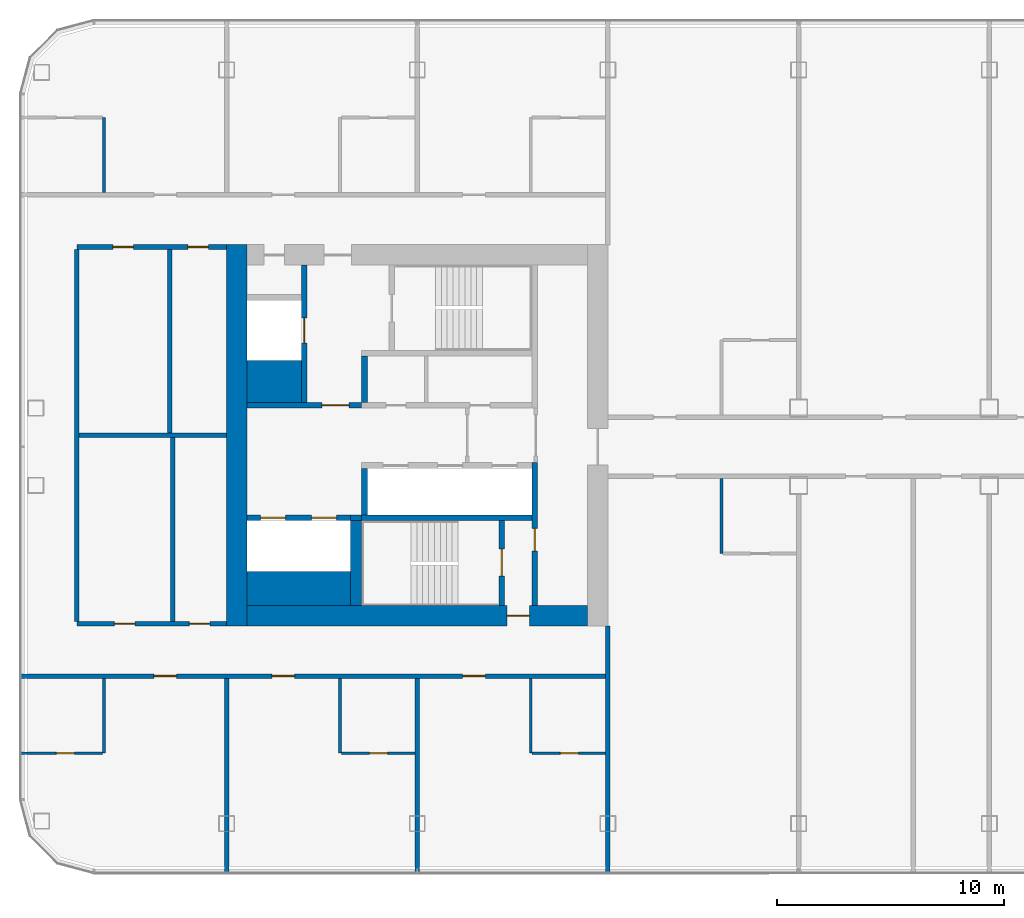
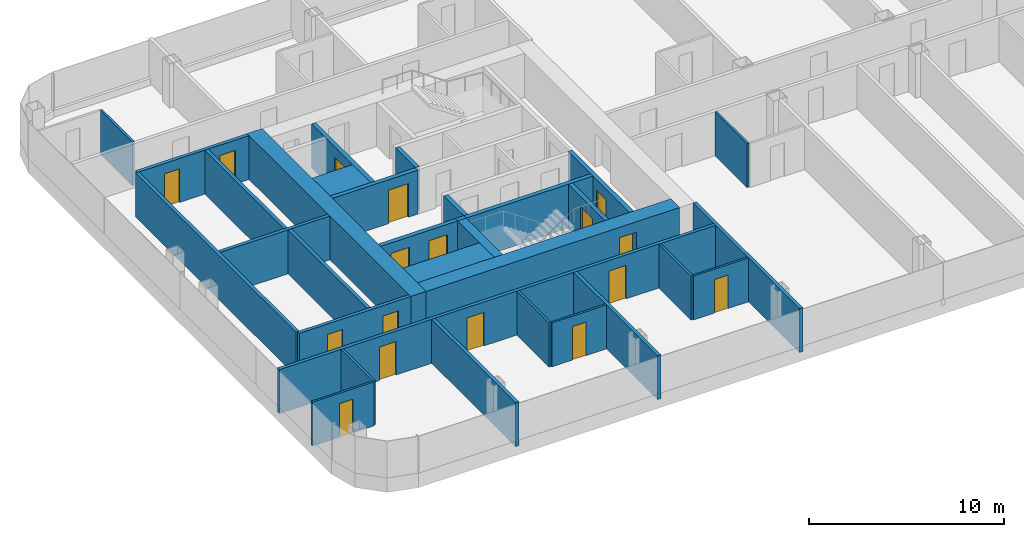
# One storey, part 12 of 26: 32 walls, 17 doors, 17 openings.
"""IFC4 building model written with IfcOpenShell, lengths in metres."""

from ifc_helpers import new_model, si_unit, direction, frame, frame_2d, origin, place, context, subcontext, project, spatial, rectangle, extrude, material, layer, layer_set, type_object, element, fill, save


model = new_model("IFC4")

# Units and contexts
model_context = context("Model", 3, precision=1e-05, world=origin(), true_north=direction((0.0, 1.0)))
body_context = subcontext(model_context, "Body", "Model", "MODEL_VIEW")
ifc_project = project(units=[si_unit("LENGTHUNIT", "METRE"), si_unit("AREAUNIT", "SQUARE_METRE"), si_unit("VOLUMEUNIT", "CUBIC_METRE"), si_unit("PLANEANGLEUNIT", "RADIAN"), si_unit("MASSUNIT", "GRAM", prefix="KILO")], contexts=[model_context])

# Site, building, storey
site_placement = place(None, origin())
site = spatial("IfcSite", under=ifc_project, at=site_placement, CompositionType="ELEMENT")
building_placement = place(site_placement, origin())
building = spatial("IfcBuilding", under=site, at=building_placement, Name="Hakoniwa Tower and Hamabe Station Hall", CompositionType="ELEMENT")
storey_placement = place(building_placement, frame((0.0, 0.0, 131.0)))
storey = spatial("IfcBuildingStorey", under=building, at=storey_placement, Name="L36", CompositionType="ELEMENT", Elevation=131.0)

# Wall, opening, door
ifc_material_1 = material(Name="Gypsum board partition", Category="gypsum")
ifc_layer_1 = layer(ifc_material_1, 0.125)
ifc_layer_set_1 = layer_set([ifc_layer_1], Name="Bathroom Partition 125")
wall_type_1 = type_object("IfcWallType", Name="Bathroom Partition 125", PredefinedType="PARTITIONING", material=ifc_layer_set_1)
wall_1_placement = place(storey_placement, frame((-42.699951171875, -14.0, 0.0), z_axis=(0.0, 0.0, 1.0), x_axis=(1.0, 0.0, 0.0)))
wall_1 = element("IfcWall", 1, at=wall_1_placement, inside=storey, type_object=wall_type_1, Name="GW-L36-001", PredefinedType="PARTITIONING", context=body_context, shape_type="SweptSolid", body=[
    extrude(rectangle(XDim=3.637451171875, YDim=0.125, at=frame_2d((1.81884765625, 0.0))), origin(), (0.0, 0.0, 1.0), 2.75),
])
opening_1_placement = place(wall_1_placement, frame((1.60009765625, 0.0, 0.0)))
opening_1 = element("IfcOpeningElement", 2, at=opening_1_placement, cuts=wall_1, Name="Opening GD-G3A0-01", PredefinedType="OPENING", context=body_context, shape_type="SweptSolid", body=[
    extrude(rectangle(XDim=0.800048828125, YDim=2.10009765625, at=frame_2d((0.39990234375, 1.050048828125))), frame((0.0, 0.072509765625, 0.0), z_axis=(0.0, -1.0, 0.0), x_axis=(1.0, 0.0, 0.0)), (0.0, 0.0, 1.0), 0.14501953125),
])
ifc_material_2 = material(Name="Timber door leaf", Category="wood")
door_type_1 = type_object("IfcDoorType", Name="Bathroom Door 800", OperationType="SINGLE_SWING_LEFT", PredefinedType="DOOR", material=ifc_material_2)
door_1_placement = place(opening_1_placement, origin())
door_1 = element("IfcDoor", 3, at=door_1_placement, inside=storey, type_object=door_type_1, Name="Door GD-G3A0-01", OperationType="SINGLE_SWING_LEFT", OverallHeight=2.10009765625, OverallWidth=0.800048828125, PredefinedType="DOOR", context=body_context, shape_type="SweptSolid", body=[
    extrude(rectangle(XDim=0.800048828125, YDim=2.10009765625, at=frame_2d((0.39990234375, 1.050048828125))), frame((0.0, 0.02490234375, 0.0), z_axis=(0.0, -1.0, 0.0), x_axis=(1.0, 0.0, 0.0)), (0.0, 0.0, 1.0), 0.050048828125),
])
fill(opening_1, door_1)

wall_2_placement = place(storey_placement, frame((-28.53759765625, -14.0, 0.0), z_axis=(0.0, 0.0, 1.0), x_axis=(1.0, 0.0, 0.0)))
wall_2 = element("IfcWall", 4, at=wall_2_placement, inside=storey, type_object=wall_type_1, Name="GW-L36-002", PredefinedType="PARTITIONING", context=body_context, shape_type="SweptSolid", body=[
    extrude(rectangle(XDim=3.237548828125, YDim=0.125, at=frame_2d((1.61865234375, 0.0))), origin(), (0.0, 0.0, 1.0), 2.75),
])
opening_2_placement = place(wall_2_placement, frame((1.237548828125, 0.0, 0.0)))
opening_2 = element("IfcOpeningElement", 5, at=opening_2_placement, cuts=wall_2, Name="Opening GD-G3A0-02", PredefinedType="OPENING", context=body_context, shape_type="SweptSolid", body=[
    extrude(rectangle(XDim=0.800048828125, YDim=2.10009765625, at=frame_2d((0.39990234375, 1.050048828125))), frame((0.0, 0.072509765625, 0.0), z_axis=(0.0, -1.0, 0.0), x_axis=(1.0, 0.0, 0.0)), (0.0, 0.0, 1.0), 0.14501953125),
])
door_2_placement = place(opening_2_placement, origin())
door_2 = element("IfcDoor", 6, at=door_2_placement, inside=storey, type_object=door_type_1, Name="Door GD-G3A0-02", OperationType="SINGLE_SWING_RIGHT", OverallHeight=2.10009765625, OverallWidth=0.800048828125, PredefinedType="DOOR", context=body_context, shape_type="SweptSolid", body=[
    extrude(rectangle(XDim=0.800048828125, YDim=2.10009765625, at=frame_2d((0.39990234375, 1.050048828125))), frame((0.0, 0.02490234375, 0.0), z_axis=(0.0, -1.0, 0.0), x_axis=(1.0, 0.0, 0.0)), (0.0, 0.0, 1.0), 0.050048828125),
])
fill(opening_2, door_2)

wall_3_placement = place(storey_placement, frame((-20.137451171875, -14.0, 0.0), z_axis=(0.0, 0.0, 1.0), x_axis=(1.0, 0.0, 0.0)))
wall_3 = element("IfcWall", 7, at=wall_3_placement, inside=storey, type_object=wall_type_1, Name="GW-L36-003", PredefinedType="PARTITIONING", context=body_context, shape_type="SweptSolid", body=[
    extrude(rectangle(XDim=3.237548828125, YDim=0.125, at=frame_2d((1.61865234375, 0.0))), origin(), (0.0, 0.0, 1.0), 2.75),
])
opening_3_placement = place(wall_3_placement, frame((1.237548828125, 0.0, 0.0)))
opening_3 = element("IfcOpeningElement", 8, at=opening_3_placement, cuts=wall_3, Name="Opening GD-G3A0-03", PredefinedType="OPENING", context=body_context, shape_type="SweptSolid", body=[
    extrude(rectangle(XDim=0.800048828125, YDim=2.10009765625, at=frame_2d((0.39990234375, 1.050048828125))), frame((0.0, 0.072509765625, 0.0), z_axis=(0.0, -1.0, 0.0), x_axis=(1.0, 0.0, 0.0)), (0.0, 0.0, 1.0), 0.14501953125),
])
door_3_placement = place(opening_3_placement, origin())
door_3 = element("IfcDoor", 9, at=door_3_placement, inside=storey, type_object=door_type_1, Name="Door GD-G3A0-03", OperationType="SINGLE_SWING_LEFT", OverallHeight=2.10009765625, OverallWidth=0.800048828125, PredefinedType="DOOR", context=body_context, shape_type="SweptSolid", body=[
    extrude(rectangle(XDim=0.800048828125, YDim=2.10009765625, at=frame_2d((0.39990234375, 1.050048828125))), frame((0.0, 0.02490234375, 0.0), z_axis=(0.0, -1.0, 0.0), x_axis=(1.0, 0.0, 0.0)), (0.0, 0.0, 1.0), 0.050048828125),
])
fill(opening_3, door_3)

# Walls
for number, where, z_axis, x_axis, name in (
    (10, (-39.0, -14.0, 0.0), (0.0, 0.0, 1.0), (0.0, 1.0, 0.0), "GW-L36-031"),
    (11, (-39.0, 10.699951171875, 0.0), (0.0, 0.0, 1.0), (0.0, 1.0, 0.0), "GW-L36-032"),
    (12, (-28.60009765625, -14.0, 0.0), (0.0, 0.0, 1.0), (0.0, 1.0, 0.0), "GW-L36-037"),
    (13, (-20.199951171875, -14.0, 0.0), (0.0, 0.0, 1.0), (0.0, 1.0, 0.0), "GW-L36-041"),
    (14, (-11.800048828125, -5.199951171875, 0.0), (0.0, 0.0, 1.0), (0.0, 1.0, 0.0), "GW-L36-045"),
):
    element("IfcWall", number, at=place(storey_placement, frame(where, z_axis=z_axis, x_axis=x_axis)), inside=storey, type_object=wall_type_1, Name=name, PredefinedType="PARTITIONING", context=body_context, shape_type="SweptSolid", body=[
        extrude(rectangle(XDim=3.300048828125, YDim=0.125, at=frame_2d((1.64990234375, 0.0))), origin(), (0.0, 0.0, 1.0), 2.75),
    ])
ifc_material_3 = material(Name="Concrete C66", Category="concrete")
ifc_layer_2 = layer(ifc_material_3, 0.89990234375)
ifc_layer_set_2 = layer_set([ifc_layer_2], Name="CORE WALL 900 C66")
wall_type_2 = type_object("IfcWallType", Name="CORE WALL 900 C66", PredefinedType="SHEAR", material=ifc_layer_set_2)
wall_4_placement = place(storey_placement, frame((-33.14990234375, -8.39990234375, 0.0), z_axis=(0.0, 0.0, 1.0), x_axis=(0.0, 1.0, 0.0)))
element("IfcWall", 15, at=wall_4_placement, inside=storey, type_object=wall_type_2, Name="Core wall OUTER west", PredefinedType="SHEAR", context=body_context, shape_type="SweptSolid", body=[
    extrude(rectangle(XDim=16.7998046875, YDim=0.89990234375, at=frame_2d((8.39990234375, 0.0))), origin(), (0.0, 0.0, 1.0), 2.75),
])

# Wall, opening, door
wall_5_placement = place(storey_placement, frame((-32.699951171875, -7.949951171875, 0.0), z_axis=(0.0, 0.0, 1.0), x_axis=(1.0, 0.0, 0.0)))
wall_5 = element("IfcWall", 16, at=wall_5_placement, inside=storey, type_object=wall_type_2, Name="Core wall SOUTH west", PredefinedType="SHEAR", context=body_context, shape_type="SweptSolid", body=[
    extrude(rectangle(XDim=15.0, YDim=0.89990234375, at=frame_2d((7.5, 0.0))), origin(), (0.0, 0.0, 1.0), 2.75),
])
opening_4_placement = place(wall_5_placement, frame((11.449951171875, 0.0, 0.0)))
opening_4 = element("IfcOpeningElement", 17, at=opening_4_placement, cuts=wall_5, Name="Opening CD-W-FS3-10", PredefinedType="OPENING", context=body_context, shape_type="SweptSolid", body=[
    extrude(rectangle(XDim=1.0, YDim=2.10009765625, at=frame_2d((0.5, 1.050048828125))), frame((0.0, 0.4599609375, 0.0), z_axis=(0.0, -1.0, 0.0), x_axis=(1.0, 0.0, 0.0)), (0.0, 0.0, 1.0), 0.919921875),
])
ifc_material_4 = material(Name="Steel fire door", Category="steel")
door_type_2 = type_object("IfcDoorType", Name="CORE DOOR 1000 FD60", OperationType="NOTDEFINED", PredefinedType="DOOR", material=ifc_material_4)
door_4_placement = place(opening_4_placement, origin())
door_4 = element("IfcDoor", 18, at=door_4_placement, inside=storey, type_object=door_type_2, Name="Stair vestibule door", OperationType="SINGLE_SWING_RIGHT", OverallHeight=2.10009765625, OverallWidth=1.0, PredefinedType="DOOR", context=body_context, shape_type="SweptSolid", body=[
    extrude(rectangle(XDim=1.0, YDim=2.10009765625, at=frame_2d((0.5, 1.050048828125))), frame((0.0, 0.02490234375, 0.0), z_axis=(0.0, -1.0, 0.0), x_axis=(1.0, 0.0, 0.0)), (0.0, 0.0, 1.0), 0.050048828125),
])
fill(opening_4, door_4)

# Walls
ifc_material_5 = material(Name="Concrete C66", Category="concrete")
ifc_layer_3 = layer(ifc_material_5, 1.5)
ifc_layer_set_3 = layer_set([ifc_layer_3], Name="CORE WEB WALL 1500 C66")
wall_type_3 = type_object("IfcWallType", Name="CORE WEB WALL 1500 C66", PredefinedType="SHEAR", material=ifc_layer_set_3)
wall_6_placement = place(storey_placement, frame((-32.699951171875, -6.75, 0.0), z_axis=(0.0, 0.0, 1.0), x_axis=(1.0, 0.0, 0.0)))
element("IfcWall", 19, at=wall_6_placement, inside=storey, type_object=wall_type_3, Name="Core wall SER west", PredefinedType="SHEAR", context=body_context, shape_type="SweptSolid", body=[
    extrude(rectangle(XDim=4.550048828125, YDim=1.5, at=frame_2d((2.27490234375, 0.0))), origin(), (0.0, 0.0, 1.0), 2.75),
])
ifc_material_6 = material(Name="Concrete C66", Category="concrete")
ifc_layer_4 = layer(ifc_material_6, 1.85009765625)
ifc_layer_set_4 = layer_set([ifc_layer_4], Name="CORE WEB WALL 1850 C66")
wall_type_4 = type_object("IfcWallType", Name="CORE WEB WALL 1850 C66", PredefinedType="SHEAR", material=ifc_layer_set_4)
wall_7_placement = place(storey_placement, frame((-32.699951171875, 2.375, 0.0), z_axis=(0.0, 0.0, 1.0), x_axis=(1.0, 0.0, 0.0)))
element("IfcWall", 20, at=wall_7_placement, inside=storey, type_object=wall_type_4, Name="Core wall CA west", PredefinedType="SHEAR", context=body_context, shape_type="SweptSolid", body=[
    extrude(rectangle(XDim=2.39990234375, YDim=1.85009765625, at=frame_2d((1.199951171875, 0.0))), origin(), (0.0, 0.0, 1.0), 2.75),
])

# Wall, opening, door
ifc_material_7 = material(Name="Concrete C66", Category="concrete")
ifc_layer_5 = layer(ifc_material_7, 0.25)
ifc_layer_set_5 = layer_set([ifc_layer_5], Name="CORE WEB WALL 250 C66")
wall_type_5 = type_object("IfcWallType", Name="CORE WEB WALL 250 C66", PredefinedType="SHEAR", material=ifc_layer_set_5)
wall_8_placement = place(storey_placement, frame((-20.02490234375, -7.5, 0.0), z_axis=(0.0, 0.0, 1.0), x_axis=(0.0, 1.0, 0.0)))
wall_8 = element("IfcWall", 21, at=wall_8_placement, inside=storey, type_object=wall_type_5, Name="Core wall W1S west", PredefinedType="SHEAR", context=body_context, shape_type="SweptSolid", body=[
    extrude(rectangle(XDim=6.300048828125, YDim=0.25, at=frame_2d((3.14990234375, 0.0))), origin(), (0.0, 0.0, 1.0), 2.75),
])
opening_5_placement = place(wall_8_placement, frame((2.39990234375, 0.0, 0.0)))
opening_5 = element("IfcOpeningElement", 22, at=opening_5_placement, cuts=wall_8, Name="Opening CD-W-VS-10", PredefinedType="OPENING", context=body_context, shape_type="SweptSolid", body=[
    extrude(rectangle(XDim=1.0, YDim=2.10009765625, at=frame_2d((0.5, 1.050048828125))), frame((0.0, 0.135009765625, 0.0), z_axis=(0.0, -1.0, 0.0), x_axis=(1.0, 0.0, 0.0)), (0.0, 0.0, 1.0), 0.27001953125),
])
door_5_placement = place(opening_5_placement, origin())
door_5 = element("IfcDoor", 23, at=door_5_placement, inside=storey, type_object=door_type_2, Name="Stair vestibule door", OperationType="SINGLE_SWING_LEFT", OverallHeight=2.10009765625, OverallWidth=1.0, PredefinedType="DOOR", context=body_context, shape_type="SweptSolid", body=[
    extrude(rectangle(XDim=1.0, YDim=2.10009765625, at=frame_2d((0.5, 1.050048828125))), frame((0.0, 0.02490234375, 0.0), z_axis=(0.0, -1.0, 0.0), x_axis=(1.0, 0.0, 0.0)), (0.0, 0.0, 1.0), 0.050048828125),
])
fill(opening_5, door_5)

# Wall
wall_9_placement = place(storey_placement, frame((-27.52490234375, 1.449951171875, 0.0), z_axis=(0.0, 0.0, 1.0), x_axis=(0.0, 1.0, 0.0)))
element("IfcWall", 24, at=wall_9_placement, inside=storey, type_object=wall_type_5, Name="Core wall NE west", PredefinedType="SHEAR", context=body_context, shape_type="SweptSolid", body=[
    extrude(rectangle(XDim=2.050048828125, YDim=0.25, at=frame_2d((1.02490234375, 0.0))), origin(), (0.0, 0.0, 1.0), 2.75),
])

# Wall, opening, door
wall_10_placement = place(storey_placement, frame((-32.699951171875, 1.324951171875, 0.0), z_axis=(0.0, 0.0, 1.0), x_axis=(1.0, 0.0, 0.0)))
wall_10 = element("IfcWall", 25, at=wall_10_placement, inside=storey, type_object=wall_type_5, Name="Core wall ELN west", PredefinedType="SHEAR", context=body_context, shape_type="SweptSolid", body=[
    extrude(rectangle(XDim=5.050048828125, YDim=0.25, at=frame_2d((2.52490234375, 0.0))), origin(), (0.0, 0.0, 1.0), 2.75),
])
opening_6_placement = place(wall_10_placement, frame((3.300048828125, 0.0, 0.0)))
opening_6 = element("IfcOpeningElement", 26, at=opening_6_placement, cuts=wall_10, Name="Opening CD-W-FL-12", PredefinedType="OPENING", context=body_context, shape_type="SweptSolid", body=[
    extrude(rectangle(XDim=1.199951171875, YDim=2.10009765625, at=frame_2d((0.60009765625, 1.050048828125))), frame((0.0, 0.135009765625, 0.0), z_axis=(0.0, -1.0, 0.0), x_axis=(1.0, 0.0, 0.0)), (0.0, 0.0, 1.0), 0.27001953125),
])
ifc_material_8 = material(Name="Steel fire door", Category="steel")
door_type_3 = type_object("IfcDoorType", Name="CORE DOOR 1200 FD60", OperationType="DOUBLE_DOOR_SINGLE_SWING", PredefinedType="DOOR", material=ifc_material_8)
door_6_placement = place(opening_6_placement, origin())
door_6 = element("IfcDoor", 27, at=door_6_placement, inside=storey, type_object=door_type_3, Name="Stair vestibule door to the fire-fighting lobby", OperationType="DOUBLE_DOOR_SINGLE_SWING", OverallHeight=2.10009765625, OverallWidth=1.199951171875, PredefinedType="DOOR", context=body_context, shape_type="SweptSolid", body=[
    extrude(rectangle(XDim=1.199951171875, YDim=2.10009765625, at=frame_2d((0.60009765625, 1.050048828125))), frame((0.0, 0.02490234375, 0.0), z_axis=(0.0, -1.0, 0.0), x_axis=(1.0, 0.0, 0.0)), (0.0, 0.0, 1.0), 0.050048828125),
])
fill(opening_6, door_6)

wall_11_placement = place(storey_placement, frame((-30.175048828125, 1.449951171875, 0.0), z_axis=(0.0, 0.0, 1.0), x_axis=(0.0, 1.0, 0.0)))
wall_11 = element("IfcWall", 28, at=wall_11_placement, inside=storey, type_object=wall_type_5, Name="Core wall FFF west", PredefinedType="SHEAR", context=body_context, shape_type="SweptSolid", body=[
    extrude(rectangle(XDim=6.050048828125, YDim=0.25, at=frame_2d((3.02490234375, 0.0))), origin(), (0.0, 0.0, 1.0), 2.75),
])
opening_7_placement = place(wall_11_placement, frame((2.625, 0.0, 0.0)))
opening_7 = element("IfcOpeningElement", 29, at=opening_7_placement, cuts=wall_11, Name="Opening LD-FF1", PredefinedType="OPENING", context=body_context, shape_type="SweptSolid", body=[
    extrude(rectangle(XDim=1.10009765625, YDim=2.10009765625, at=frame_2d((0.550048828125, 1.050048828125))), frame((0.0, 0.135009765625, 0.0), z_axis=(0.0, -1.0, 0.0), x_axis=(1.0, 0.0, 0.0)), (0.0, 0.0, 1.0), 0.27001953125),
])
ifc_material_9 = material(Name="Stainless steel SUS304", Category="steel")
door_type_4 = type_object("IfcDoorType", Name="LIFT LANDING DOOR 1100 FD60", OperationType="DOUBLE_DOOR_SLIDING", PredefinedType="DOOR", material=ifc_material_9)
door_7_placement = place(opening_7_placement, origin())
door_7 = element("IfcDoor", 30, at=door_7_placement, inside=storey, type_object=door_type_4, Name="Lift landing door FF1 L36", OperationType="DOUBLE_DOOR_SLIDING", OverallHeight=2.10009765625, OverallWidth=1.10009765625, PredefinedType="DOOR", context=body_context, shape_type="SweptSolid", body=[
    extrude(rectangle(XDim=1.10009765625, YDim=2.10009765625, at=frame_2d((0.550048828125, 1.050048828125))), frame((0.0, 0.02490234375, 0.0), z_axis=(0.0, -1.0, 0.0), x_axis=(1.0, 0.0, 0.0)), (0.0, 0.0, 1.0), 0.050048828125),
])
fill(opening_7, door_7)

# Walls
wall_12_placement = place(storey_placement, frame((-27.52490234375, -3.5, 0.0), z_axis=(0.0, 0.0, 1.0), x_axis=(0.0, 1.0, 0.0)))
element("IfcWall", 31, at=wall_12_placement, inside=storey, type_object=wall_type_5, Name="Core wall SE west", PredefinedType="SHEAR", context=body_context, shape_type="SweptSolid", body=[
    extrude(rectangle(XDim=2.050048828125, YDim=0.25, at=frame_2d((1.02490234375, 0.0))), origin(), (0.0, 0.0, 1.0), 2.75),
])
wall_13_placement = place(storey_placement, frame((-27.64990234375, -3.625, 0.0), z_axis=(0.0, 0.0, 1.0), x_axis=(1.0, 0.0, 0.0)))
element("IfcWall", 32, at=wall_13_placement, inside=storey, type_object=wall_type_5, Name="Core wall SR west", PredefinedType="SHEAR", context=body_context, shape_type="SweptSolid", body=[
    extrude(rectangle(XDim=7.5, YDim=0.25, at=frame_2d((3.75, 0.0))), origin(), (0.0, 0.0, 1.0), 2.75),
])

# Wall, opening, door
wall_14_placement = place(storey_placement, frame((-21.47509765625, -7.5, 0.0), z_axis=(0.0, 0.0, 1.0), x_axis=(0.0, 1.0, 0.0)))
wall_14 = element("IfcWall", 33, at=wall_14_placement, inside=storey, type_object=wall_type_5, Name="Core wall VE west", PredefinedType="SHEAR", context=body_context, shape_type="SweptSolid", body=[
    extrude(rectangle(XDim=3.75, YDim=0.25, at=frame_2d((1.875, 0.0))), origin(), (0.0, 0.0, 1.0), 2.75),
])
opening_8_placement = place(wall_14_placement, frame((1.300048828125, 0.0, 0.0)))
opening_8 = element("IfcOpeningElement", 34, at=opening_8_placement, cuts=wall_14, Name="Opening CD-W-SS-12", PredefinedType="OPENING", context=body_context, shape_type="SweptSolid", body=[
    extrude(rectangle(XDim=1.199951171875, YDim=2.10009765625, at=frame_2d((0.60009765625, 1.050048828125))), frame((0.0, 0.135009765625, 0.0), z_axis=(0.0, -1.0, 0.0), x_axis=(1.0, 0.0, 0.0)), (0.0, 0.0, 1.0), 0.27001953125),
])
door_8_placement = place(opening_8_placement, origin())
door_8 = element("IfcDoor", 35, at=door_8_placement, inside=storey, type_object=door_type_3, Name="Escape stair door", OperationType="DOUBLE_DOOR_SINGLE_SWING", OverallHeight=2.10009765625, OverallWidth=1.199951171875, PredefinedType="DOOR", context=body_context, shape_type="SweptSolid", body=[
    extrude(rectangle(XDim=1.199951171875, YDim=2.10009765625, at=frame_2d((0.60009765625, 1.050048828125))), frame((0.0, 0.02490234375, 0.0), z_axis=(0.0, -1.0, 0.0), x_axis=(1.0, 0.0, 0.0)), (0.0, 0.0, 1.0), 0.050048828125),
])
fill(opening_8, door_8)

# Wall, openings, doors
wall_15_placement = place(storey_placement, frame((-32.699951171875, -3.625, 0.0), z_axis=(0.0, 0.0, 1.0), x_axis=(1.0, 0.0, 0.0)))
wall_15 = element("IfcWall", 36, at=wall_15_placement, inside=storey, type_object=wall_type_5, Name="Core wall SEF west", PredefinedType="SHEAR", context=body_context, shape_type="SweptSolid", body=[
    extrude(rectangle(XDim=4.550048828125, YDim=0.25, at=frame_2d((2.27490234375, 0.0))), origin(), (0.0, 0.0, 1.0), 2.75),
])
opening_9_placement = place(wall_15_placement, frame((2.85009765625, 0.0, 0.0)))
opening_9 = element("IfcOpeningElement", 37, at=opening_9_placement, cuts=wall_15, Name="Opening LD-SV1", PredefinedType="OPENING", context=body_context, shape_type="SweptSolid", body=[
    extrude(rectangle(XDim=1.10009765625, YDim=2.10009765625, at=frame_2d((0.550048828125, 1.050048828125))), frame((0.0, 0.135009765625, 0.0), z_axis=(0.0, -1.0, 0.0), x_axis=(1.0, 0.0, 0.0)), (0.0, 0.0, 1.0), 0.27001953125),
])
opening_10_placement = place(wall_15_placement, frame((0.60009765625, 0.0, 0.0)))
opening_10 = element("IfcOpeningElement", 38, at=opening_10_placement, cuts=wall_15, Name="Opening LD-SV2", PredefinedType="OPENING", context=body_context, shape_type="SweptSolid", body=[
    extrude(rectangle(XDim=1.10009765625, YDim=2.10009765625, at=frame_2d((0.550048828125, 1.050048828125))), frame((0.0, 0.135009765625, 0.0), z_axis=(0.0, -1.0, 0.0), x_axis=(1.0, 0.0, 0.0)), (0.0, 0.0, 1.0), 0.27001953125),
])
door_9_placement = place(opening_9_placement, origin())
door_9 = element("IfcDoor", 39, at=door_9_placement, inside=storey, type_object=door_type_4, Name="Lift landing door SV1 L36", OperationType="DOUBLE_DOOR_SLIDING", OverallHeight=2.10009765625, OverallWidth=1.10009765625, PredefinedType="DOOR", context=body_context, shape_type="SweptSolid", body=[
    extrude(rectangle(XDim=1.10009765625, YDim=2.10009765625, at=frame_2d((0.550048828125, 1.050048828125))), frame((0.0, 0.02490234375, 0.0), z_axis=(0.0, -1.0, 0.0), x_axis=(1.0, 0.0, 0.0)), (0.0, 0.0, 1.0), 0.050048828125),
])
fill(opening_9, door_9)
door_10_placement = place(opening_10_placement, origin())
door_10 = element("IfcDoor", 40, at=door_10_placement, inside=storey, type_object=door_type_4, Name="Lift landing door SV2 L36", OperationType="DOUBLE_DOOR_SLIDING", OverallHeight=2.10009765625, OverallWidth=1.10009765625, PredefinedType="DOOR", context=body_context, shape_type="SweptSolid", body=[
    extrude(rectangle(XDim=1.10009765625, YDim=2.10009765625, at=frame_2d((0.550048828125, 1.050048828125))), frame((0.0, 0.02490234375, 0.0), z_axis=(0.0, -1.0, 0.0), x_axis=(1.0, 0.0, 0.0)), (0.0, 0.0, 1.0), 0.050048828125),
])
fill(opening_10, door_10)

# Walls
wall_16_placement = place(storey_placement, frame((-28.14990234375, -3.625, 0.0), z_axis=(0.0, 0.0, 1.0), x_axis=(1.0, 0.0, 0.0)))
element("IfcWall", 41, at=wall_16_placement, inside=storey, type_object=wall_type_5, Name="Core wall SRK west", PredefinedType="SHEAR", context=body_context, shape_type="SweptSolid", body=[
    extrude(rectangle(XDim=0.5, YDim=0.25, at=frame_2d((0.25, 0.0))), origin(), (0.0, 0.0, 1.0), 2.75),
])
ifc_material_10 = material(Name="Concrete C66", Category="concrete")
ifc_layer_6 = layer(ifc_material_10, 0.5)
ifc_layer_set_6 = layer_set([ifc_layer_6], Name="CORE WEB WALL 500 C66")
wall_type_6 = type_object("IfcWallType", Name="CORE WEB WALL 500 C66", PredefinedType="SHEAR", material=ifc_layer_set_6)
wall_17_placement = place(storey_placement, frame((-27.89990234375, -7.5, 0.0), z_axis=(0.0, 0.0, 1.0), x_axis=(0.0, 1.0, 0.0)))
element("IfcWall", 42, at=wall_17_placement, inside=storey, type_object=wall_type_6, Name="Core wall SSE west", PredefinedType="SHEAR", context=body_context, shape_type="SweptSolid", body=[
    extrude(rectangle(XDim=3.75, YDim=0.5, at=frame_2d((1.875, 0.0))), origin(), (0.0, 0.0, 1.0), 2.75),
])

# Wall, openings, doors
ifc_material_11 = material(Name="Fire-rated gypsum board partition", Category="gypsum")
ifc_layer_7 = layer(ifc_material_11, 0.199951171875)
ifc_layer_set_7 = layer_set([ifc_layer_7], Name="Corridor Wall 200")
wall_type_7 = type_object("IfcWallType", Name="Corridor Wall 200", PredefinedType="PARTITIONING", material=ifc_layer_set_7)
wall_18_placement = place(storey_placement, frame((-42.699951171875, -10.60009765625, 0.0), z_axis=(0.0, 0.0, 1.0), x_axis=(1.0, 0.0, 0.0)))
wall_18 = element("IfcWall", 43, at=wall_18_placement, inside=storey, type_object=wall_type_7, Name="GW-L36-007", PredefinedType="PARTITIONING", context=body_context, shape_type="SweptSolid", body=[
    extrude(rectangle(XDim=25.89990234375, YDim=0.199951171875, at=frame_2d((12.949951171875, 0.0))), origin(), (0.0, 0.0, 1.0), 2.75),
])
opening_11_placement = place(wall_18_placement, frame((5.89990234375, 0.0, 0.0)))
opening_11 = element("IfcOpeningElement", 44, at=opening_11_placement, cuts=wall_18, Name="Opening GD-G3A0-07", PredefinedType="OPENING", context=body_context, shape_type="SweptSolid", body=[
    extrude(rectangle(XDim=1.0, YDim=2.10009765625, at=frame_2d((0.5, 1.050048828125))), frame((0.0, 0.10986328125, 0.0), z_axis=(0.0, -1.0, 0.0), x_axis=(1.0, 0.0, 0.0)), (0.0, 0.0, 1.0), 0.219970703125),
])
opening_12_placement = place(wall_18_placement, frame((11.10009765625, 0.0, 0.0)))
opening_12 = element("IfcOpeningElement", 45, at=opening_12_placement, cuts=wall_18, Name="Opening GD-G3A0-08", PredefinedType="OPENING", context=body_context, shape_type="SweptSolid", body=[
    extrude(rectangle(XDim=1.0, YDim=2.10009765625, at=frame_2d((0.5, 1.050048828125))), frame((0.0, 0.10986328125, 0.0), z_axis=(0.0, -1.0, 0.0), x_axis=(1.0, 0.0, 0.0)), (0.0, 0.0, 1.0), 0.219970703125),
])
opening_13_placement = place(wall_18_placement, frame((19.5, 0.0, 0.0)))
opening_13 = element("IfcOpeningElement", 46, at=opening_13_placement, cuts=wall_18, Name="Opening GD-G3A0-09", PredefinedType="OPENING", context=body_context, shape_type="SweptSolid", body=[
    extrude(rectangle(XDim=1.0, YDim=2.10009765625, at=frame_2d((0.5, 1.050048828125))), frame((0.0, 0.10986328125, 0.0), z_axis=(0.0, -1.0, 0.0), x_axis=(1.0, 0.0, 0.0)), (0.0, 0.0, 1.0), 0.219970703125),
])
ifc_material_12 = material(Name="Timber door leaf", Category="wood")
door_type_5 = type_object("IfcDoorType", Name="Guest Entrance Door 1000", OperationType="SINGLE_SWING_LEFT", PredefinedType="DOOR", material=ifc_material_12)
door_11_placement = place(opening_11_placement, origin())
door_11 = element("IfcDoor", 47, at=door_11_placement, inside=storey, type_object=door_type_5, Name="Door GD-G3A0-07", OperationType="SINGLE_SWING_RIGHT", OverallHeight=2.10009765625, OverallWidth=1.0, PredefinedType="DOOR", context=body_context, shape_type="SweptSolid", body=[
    extrude(rectangle(XDim=1.0, YDim=2.10009765625, at=frame_2d((0.5, 1.050048828125))), frame((0.0, 0.02490234375, 0.0), z_axis=(0.0, -1.0, 0.0), x_axis=(1.0, 0.0, 0.0)), (0.0, 0.0, 1.0), 0.050048828125),
])
fill(opening_11, door_11)
door_12_placement = place(opening_12_placement, origin())
door_12 = element("IfcDoor", 48, at=door_12_placement, inside=storey, type_object=door_type_5, Name="Door GD-G3A0-08", OperationType="SINGLE_SWING_LEFT", OverallHeight=2.10009765625, OverallWidth=1.0, PredefinedType="DOOR", context=body_context, shape_type="SweptSolid", body=[
    extrude(rectangle(XDim=1.0, YDim=2.10009765625, at=frame_2d((0.5, 1.050048828125))), frame((0.0, 0.02490234375, 0.0), z_axis=(0.0, -1.0, 0.0), x_axis=(1.0, 0.0, 0.0)), (0.0, 0.0, 1.0), 0.050048828125),
])
fill(opening_12, door_12)
door_13_placement = place(opening_13_placement, origin())
door_13 = element("IfcDoor", 49, at=door_13_placement, inside=storey, type_object=door_type_5, Name="Door GD-G3A0-09", OperationType="SINGLE_SWING_RIGHT", OverallHeight=2.10009765625, OverallWidth=1.0, PredefinedType="DOOR", context=body_context, shape_type="SweptSolid", body=[
    extrude(rectangle(XDim=1.0, YDim=2.10009765625, at=frame_2d((0.5, 1.050048828125))), frame((0.0, 0.02490234375, 0.0), z_axis=(0.0, -1.0, 0.0), x_axis=(1.0, 0.0, 0.0)), (0.0, 0.0, 1.0), 0.050048828125),
])
fill(opening_13, door_13)

wall_19_placement = place(storey_placement, frame((-40.199951171875, -8.300048828125, 0.0), z_axis=(0.0, 0.0, 1.0), x_axis=(1.0, 0.0, 0.0)))
wall_19 = element("IfcWall", 50, at=wall_19_placement, inside=storey, type_object=wall_type_7, Name="GW-L36-009", PredefinedType="PARTITIONING", context=body_context, shape_type="SweptSolid", body=[
    extrude(rectangle(XDim=6.599853515625, YDim=0.199951171875, at=frame_2d((3.2998046875, 0.0))), origin(), (0.0, 0.0, 1.0), 2.75),
])
opening_14_placement = place(wall_19_placement, frame((1.659912109375, 0.0, 0.0)))
opening_14 = element("IfcOpeningElement", 51, at=opening_14_placement, cuts=wall_19, Name="Opening GD-G3A0-13", PredefinedType="OPENING", context=body_context, shape_type="SweptSolid", body=[
    extrude(rectangle(XDim=0.89990234375, YDim=2.10009765625, at=frame_2d((0.449951171875, 1.050048828125))), frame((0.0, 0.10986328125, 0.0), z_axis=(0.0, -1.0, 0.0), x_axis=(1.0, 0.0, 0.0)), (0.0, 0.0, 1.0), 0.219970703125),
])
opening_15_placement = place(wall_19_placement, frame((4.9599609375, 0.0, 0.0)))
opening_15 = element("IfcOpeningElement", 52, at=opening_15_placement, cuts=wall_19, Name="Opening GD-G3A0-14", PredefinedType="OPENING", context=body_context, shape_type="SweptSolid", body=[
    extrude(rectangle(XDim=0.89990234375, YDim=2.10009765625, at=frame_2d((0.449951171875, 1.050048828125))), frame((0.0, 0.10986328125, 0.0), z_axis=(0.0, -1.0, 0.0), x_axis=(1.0, 0.0, 0.0)), (0.0, 0.0, 1.0), 0.219970703125),
])
ifc_material_13 = material(Name="Timber door leaf", Category="wood")
door_type_6 = type_object("IfcDoorType", Name="Service Door 900", OperationType="SINGLE_SWING_LEFT", PredefinedType="DOOR", material=ifc_material_13)
door_14_placement = place(opening_14_placement, origin())
door_14 = element("IfcDoor", 53, at=door_14_placement, inside=storey, type_object=door_type_6, Name="Door GD-G3A0-13", OperationType="SINGLE_SWING_RIGHT", OverallHeight=2.10009765625, OverallWidth=0.89990234375, PredefinedType="DOOR", context=body_context, shape_type="SweptSolid", body=[
    extrude(rectangle(XDim=0.89990234375, YDim=2.10009765625, at=frame_2d((0.449951171875, 1.050048828125))), frame((0.0, 0.02490234375, 0.0), z_axis=(0.0, -1.0, 0.0), x_axis=(1.0, 0.0, 0.0)), (0.0, 0.0, 1.0), 0.050048828125),
])
fill(opening_14, door_14)
door_15_placement = place(opening_15_placement, origin())
door_15 = element("IfcDoor", 54, at=door_15_placement, inside=storey, type_object=door_type_6, Name="Door GD-G3A0-14", OperationType="SINGLE_SWING_RIGHT", OverallHeight=2.10009765625, OverallWidth=0.89990234375, PredefinedType="DOOR", context=body_context, shape_type="SweptSolid", body=[
    extrude(rectangle(XDim=0.89990234375, YDim=2.10009765625, at=frame_2d((0.449951171875, 1.050048828125))), frame((0.0, 0.02490234375, 0.0), z_axis=(0.0, -1.0, 0.0), x_axis=(1.0, 0.0, 0.0)), (0.0, 0.0, 1.0), 0.050048828125),
])
fill(opening_15, door_15)

wall_20_placement = place(storey_placement, frame((-40.199951171875, 8.300048828125, 0.0), z_axis=(0.0, 0.0, 1.0), x_axis=(1.0, 0.0, 0.0)))
wall_20 = element("IfcWall", 55, at=wall_20_placement, inside=storey, type_object=wall_type_7, Name="GW-L36-020", PredefinedType="PARTITIONING", context=body_context, shape_type="SweptSolid", body=[
    extrude(rectangle(XDim=6.599853515625, YDim=0.199951171875, at=frame_2d((3.2998046875, 0.0))), origin(), (0.0, 0.0, 1.0), 2.75),
])
opening_16_placement = place(wall_20_placement, frame((1.594970703125, 0.0, 0.0)))
opening_16 = element("IfcOpeningElement", 56, at=opening_16_placement, cuts=wall_20, Name="Opening GD-G3A0-32", PredefinedType="OPENING", context=body_context, shape_type="SweptSolid", body=[
    extrude(rectangle(XDim=0.89990234375, YDim=2.10009765625, at=frame_2d((0.449951171875, 1.050048828125))), frame((0.0, 0.10986328125, 0.0), z_axis=(0.0, -1.0, 0.0), x_axis=(1.0, 0.0, 0.0)), (0.0, 0.0, 1.0), 0.219970703125),
])
opening_17_placement = place(wall_20_placement, frame((4.89501953125, 0.0, 0.0)))
opening_17 = element("IfcOpeningElement", 57, at=opening_17_placement, cuts=wall_20, Name="Opening GD-G3A0-33", PredefinedType="OPENING", context=body_context, shape_type="SweptSolid", body=[
    extrude(rectangle(XDim=0.89990234375, YDim=2.10009765625, at=frame_2d((0.449951171875, 1.050048828125))), frame((0.0, 0.10986328125, 0.0), z_axis=(0.0, -1.0, 0.0), x_axis=(1.0, 0.0, 0.0)), (0.0, 0.0, 1.0), 0.219970703125),
])
door_16_placement = place(opening_16_placement, origin())
door_16 = element("IfcDoor", 58, at=door_16_placement, inside=storey, type_object=door_type_6, Name="Door GD-G3A0-32", OperationType="SINGLE_SWING_RIGHT", OverallHeight=2.10009765625, OverallWidth=0.89990234375, PredefinedType="DOOR", context=body_context, shape_type="SweptSolid", body=[
    extrude(rectangle(XDim=0.89990234375, YDim=2.10009765625, at=frame_2d((0.449951171875, 1.050048828125))), frame((0.0, 0.02490234375, 0.0), z_axis=(0.0, -1.0, 0.0), x_axis=(1.0, 0.0, 0.0)), (0.0, 0.0, 1.0), 0.050048828125),
])
fill(opening_16, door_16)
door_17_placement = place(opening_17_placement, origin())
door_17 = element("IfcDoor", 59, at=door_17_placement, inside=storey, type_object=door_type_6, Name="Door GD-G3A0-33", OperationType="SINGLE_SWING_LEFT", OverallHeight=2.10009765625, OverallWidth=0.89990234375, PredefinedType="DOOR", context=body_context, shape_type="SweptSolid", body=[
    extrude(rectangle(XDim=0.89990234375, YDim=2.10009765625, at=frame_2d((0.449951171875, 1.050048828125))), frame((0.0, 0.02490234375, 0.0), z_axis=(0.0, -1.0, 0.0), x_axis=(1.0, 0.0, 0.0)), (0.0, 0.0, 1.0), 0.050048828125),
])
fill(opening_17, door_17)

# Walls
ifc_material_14 = material(Name="Fire-rated gypsum board partition", Category="gypsum")
ifc_layer_8 = layer(ifc_material_14, 0.199951171875)
ifc_layer_set_8 = layer_set([ifc_layer_8], Name="Party Wall 200")
wall_type_8 = type_object("IfcWallType", Name="Party Wall 200", PredefinedType="PARTITIONING", material=ifc_layer_set_8)
wall_21_placement = place(storey_placement, frame((-40.10009765625, 0.0, 0.0), z_axis=(0.0, 0.0, 1.0), x_axis=(1.0, 0.0, 0.0)))
element("IfcWall", 60, at=wall_21_placement, inside=storey, type_object=wall_type_8, Name="GW-L36-015", PredefinedType="PARTITIONING", context=body_context, shape_type="SweptSolid", body=[
    extrude(rectangle(XDim=6.5, YDim=0.199951171875, at=frame_2d((3.25, 0.0))), origin(), (0.0, 0.0, 1.0), 2.75),
])
wall_22_placement = place(storey_placement, frame((-40.199951171875, -8.199951171875, 0.0), z_axis=(0.0, 0.0, 1.0), x_axis=(0.0, 1.0, 0.0)))
element("IfcWall", 61, at=wall_22_placement, inside=storey, type_object=wall_type_8, Name="GW-L36-030", PredefinedType="PARTITIONING", context=body_context, shape_type="SweptSolid", body=[
    extrude(rectangle(XDim=16.39990234375, YDim=0.199951171875, at=frame_2d((8.199951171875, 0.0))), origin(), (0.0, 0.0, 1.0), 2.75),
])
for number, where, z_axis, x_axis, name in (
    (62, (-36.110107421875, 0.0, 0.0), (0.0, 0.0, 1.0), (0.0, 1.0, 0.0), "GW-L36-033"),
    (63, (-35.97998046875, -8.199951171875, 0.0), (0.0, 0.0, 1.0), (0.0, 1.0, 0.0), "GW-L36-034"),
):
    element("IfcWall", number, at=place(storey_placement, frame(where, z_axis=z_axis, x_axis=x_axis)), inside=storey, type_object=wall_type_8, Name=name, PredefinedType="PARTITIONING", context=body_context, shape_type="SweptSolid", body=[
        extrude(rectangle(XDim=8.199951171875, YDim=0.199951171875, at=frame_2d((4.10009765625, 0.0))), origin(), (0.0, 0.0, 1.0), 2.75),
    ])
for number, where, z_axis, x_axis, name in (
    (64, (-33.60009765625, -19.300048828125, 0.0), (0.0, 0.0, 1.0), (0.0, 1.0, 0.0), "GW-L36-035"),
    (65, (-25.199951171875, -19.300048828125, 0.0), (0.0, 0.0, 1.0), (0.0, 1.0, 0.0), "GW-L36-039"),
):
    element("IfcWall", number, at=place(storey_placement, frame(where, z_axis=z_axis, x_axis=x_axis)), inside=storey, type_object=wall_type_8, Name=name, PredefinedType="PARTITIONING", context=body_context, shape_type="SweptSolid", body=[
        extrude(rectangle(XDim=8.60009765625, YDim=0.199951171875, at=frame_2d((4.300048828125, 0.0))), origin(), (0.0, 0.0, 1.0), 2.75),
    ])
wall_23_placement = place(storey_placement, frame((-16.800048828125, -19.300048828125, 0.0), z_axis=(0.0, 0.0, 1.0), x_axis=(0.0, 1.0, 0.0)))
element("IfcWall", 66, at=wall_23_placement, inside=storey, type_object=wall_type_8, Name="GW-L36-043", PredefinedType="PARTITIONING", context=body_context, shape_type="SweptSolid", body=[
    extrude(rectangle(XDim=10.91015625, YDim=0.199951171875, at=frame_2d((5.455078125, 0.0))), origin(), (0.0, 0.0, 1.0), 2.75),
])

save(model, "model.ifc")
